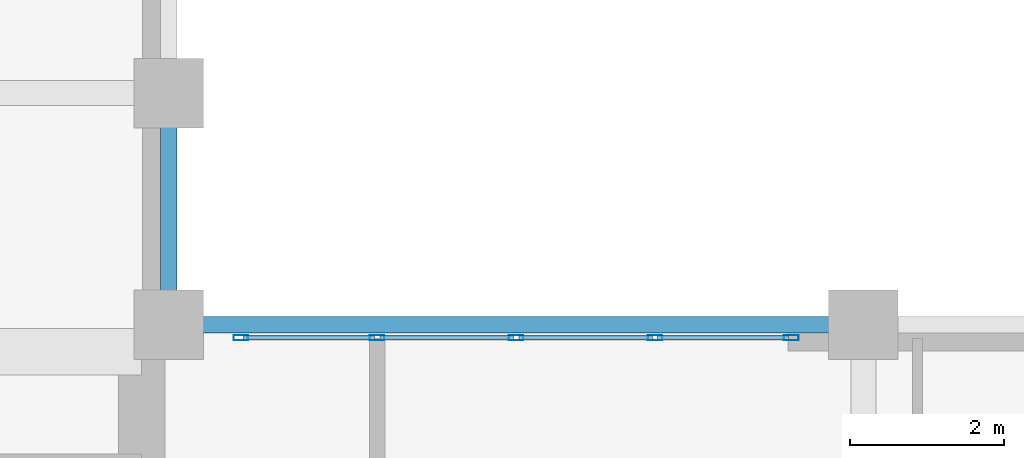
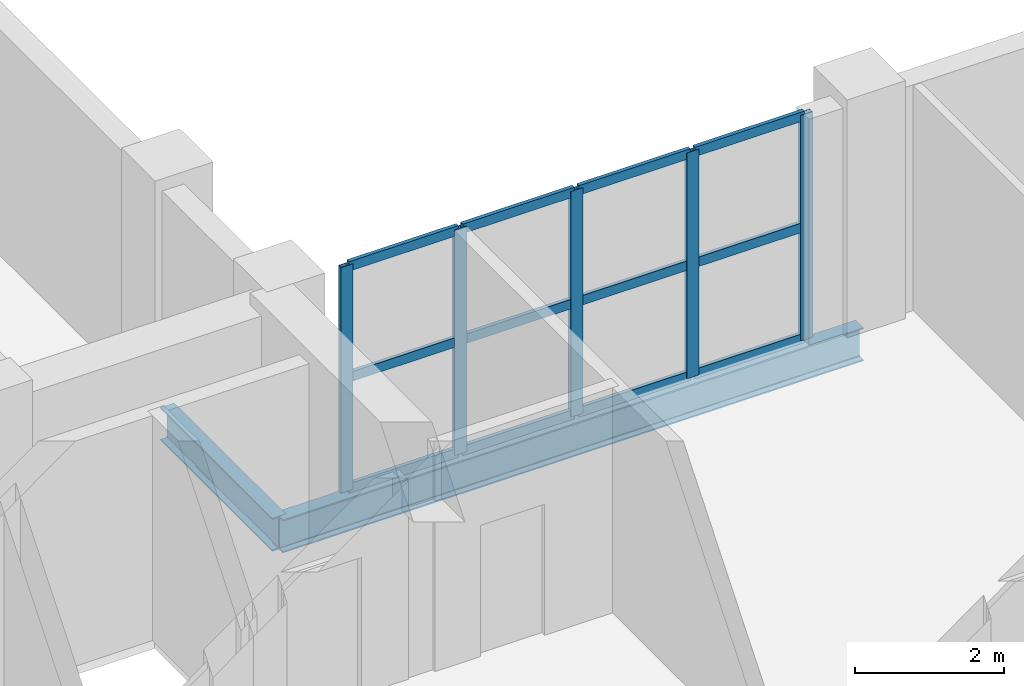
# One storey, part 2 of 7: 17 members, 2 beams, 1 element without a shape of its own.
"""IFC4 building model written with IfcOpenShell, lengths in metres."""

import ifcopenshell
import ifcopenshell.guid

model = None  # the IFC model being written
_history = None  # IfcOwnerHistory: only IFC2X3 demands one
_inside = {}  # id of a spatial element -> (the spatial element, [elements in it])
_under = {}  # id of a project, library or spatial element -> (it, [spatial elements below it])
_declared = {}  # id of a project -> (the project, [libraries it declares])
_typed = {}  # id of a type object -> (the type object, [elements of that type])
_made_of = {}  # id of a material, layer set ... -> (it, [elements and type objects made of it])


def new_model(schema):
    """Start an empty IFC model of exactly this schema.

    Asked for "IFC4X3", IfcOpenShell would pick the latest addendum, in which some entities
    have other attributes; the version numbers below select the first issue.
    IFC2X3 requires an IfcOwnerHistory on every rooted entity: one is made here for all.
    """
    global model, _history
    if schema == "IFC4X3":
        model = ifcopenshell.file(schema_version=(4, 3, 0, 0))
    else:
        model = ifcopenshell.file(schema=schema)
    _inside.clear()
    _under.clear()
    _declared.clear()
    _typed.clear()
    _made_of.clear()
    _history = None
    if model.schema == "IFC2X3":
        org = make("IfcOrganization", Name="unknown")
        user = make(
            "IfcPersonAndOrganization",
            ThePerson=make("IfcPerson", FamilyName="unknown"),
            TheOrganization=org,
        )
        app = make(
            "IfcApplication",
            ApplicationDeveloper=org,
            Version="unknown",
            ApplicationFullName="unknown",
            ApplicationIdentifier="unknown",
        )
        _history = make(
            "IfcOwnerHistory",
            OwningUser=user,
            OwningApplication=app,
            ChangeAction="ADDED",
            CreationDate=0,
        )
    return model


def make(cls, **values):
    """One entity of the class cls with the attributes given. An attribute that is None is left unset."""
    return model.create_entity(
        cls, **{name: value for name, value in values.items() if value is not None}
    )


def rooted(cls, **values):
    """An entity with a GlobalId (a new one), such as an element, a storey or a relation."""
    return make(cls, GlobalId=ifcopenshell.guid.new(), OwnerHistory=_history, **values)


def si_unit(unit_type, name, prefix=None):
    """IfcSIUnit, for example si_unit("LENGTHUNIT", "METRE", prefix="MILLI")."""
    return make("IfcSIUnit", UnitType=unit_type, Prefix=prefix, Name=name)


def assignment(units):
    """IfcUnitAssignment: the units of a project."""
    return None if units is None else make("IfcUnitAssignment", Units=units)


def point(xyz):
    """IfcCartesianPoint."""
    return None if xyz is None else make("IfcCartesianPoint", Coordinates=xyz)


def direction(xyz):
    """IfcDirection."""
    return None if xyz is None else make("IfcDirection", DirectionRatios=xyz)


def frame(location, z_axis=None, x_axis=None):
    """IfcAxis2Placement3D, a coordinate frame: its origin and axes. An axis left out is left unset."""
    return make(
        "IfcAxis2Placement3D",
        Location=point(location),
        Axis=direction(z_axis),
        RefDirection=direction(x_axis),
    )


def frame_2d(location, x_axis=None):
    """IfcAxis2Placement2D, a coordinate frame in the plane: its origin and x axis."""
    return make(
        "IfcAxis2Placement2D", Location=point(location), RefDirection=direction(x_axis)
    )


def origin():
    """The frame at (0, 0, 0) with its axes left unset."""
    return frame((0.0, 0.0, 0.0))


def origin_2d():
    """The frame at (0, 0) in the plane with its x axis left unset."""
    return frame_2d((0.0, 0.0))


def place(relative_to, where):
    """IfcLocalPlacement: puts the frame where relative to a parent placement (None: the world)."""
    return make(
        "IfcLocalPlacement", PlacementRelTo=relative_to, RelativePlacement=where
    )


def context(
    kind, dimensions, precision=None, world=None, true_north=None, identifier=None
):
    """IfcGeometricRepresentationContext, for example the 3D "Model" context."""
    return make(
        "IfcGeometricRepresentationContext",
        ContextIdentifier=identifier,
        ContextType=kind,
        CoordinateSpaceDimension=dimensions,
        Precision=precision,
        WorldCoordinateSystem=world,
        TrueNorth=true_north,
    )


def subcontext(parent, identifier, kind, view, scale=None):
    """IfcGeometricRepresentationSubContext, for example "Body" below "Model"."""
    return make(
        "IfcGeometricRepresentationSubContext",
        ContextIdentifier=identifier,
        ContextType=kind,
        ParentContext=parent,
        TargetScale=scale,
        TargetView=view,
    )


def project(units=None, contexts=None):
    """IfcProject with its units and contexts."""
    return rooted(
        "IfcProject",
        Name="project",
        RepresentationContexts=contexts,
        UnitsInContext=assignment(units),
    )


def spatial(cls, under=None, at=None, **own):
    """A site, building, storey or space (cls), placed at a placement, below another one or the project."""
    s = rooted(cls, ObjectPlacement=at, **own)
    if under is not None:
        _under.setdefault(under.id(), (under, []))[1].append(s)
    return s


def profile(cls, at=None, kind="AREA", **sizes):
    """A parametric profile (cls). Its sizes go by their IFC names, for example OverallWidth=200.0."""
    return make(cls, ProfileType=kind, Position=at, **sizes)


def hollow_rectangle(**sizes):
    """IfcRectangleHollowProfileDef."""
    return profile("IfcRectangleHollowProfileDef", **sizes)


def i_section(**sizes):
    """IfcIShapeProfileDef."""
    return profile("IfcIShapeProfileDef", **sizes)


def extrude(swept, where, along, depth):
    """IfcExtrudedAreaSolid: the profile swept, set in the frame where, extruded along a direction by depth."""
    return make(
        "IfcExtrudedAreaSolid",
        SweptArea=swept,
        Position=where,
        ExtrudedDirection=direction(along),
        Depth=depth,
    )


def shape(context_of_items, identifier, shape_type, items):
    """IfcShapeRepresentation: the items that make up one representation, for example the "Body"."""
    return make(
        "IfcShapeRepresentation",
        ContextOfItems=context_of_items,
        RepresentationIdentifier=identifier,
        RepresentationType=shape_type,
        Items=items,
    )


def material(Name=None, Category=None):
    """IfcMaterial."""
    return make("IfcMaterial", Name=Name, Category=Category)


def layer(
    of_material, thickness, ventilated=None, Name=None, Category=None, Priority=None
):
    """IfcMaterialLayer: one layer of a wall or slab, of a material (None: an air gap)."""
    return make(
        "IfcMaterialLayer",
        Material=of_material,
        LayerThickness=thickness,
        IsVentilated=ventilated,
        Name=Name,
        Category=Category,
        Priority=Priority,
    )


def layer_set(layers, Name=None):
    """IfcMaterialLayerSet."""
    return make("IfcMaterialLayerSet", MaterialLayers=layers, LayerSetName=Name)


def material_profile(
    of_material, cross_section, Name=None, Category=None, Priority=None
):
    """IfcMaterialProfile: a cross section and its material."""
    return make(
        "IfcMaterialProfile",
        Name=Name,
        Material=of_material,
        Profile=cross_section,
        Priority=Priority,
        Category=Category,
    )


def profile_set(profiles, Name=None, composite=None):
    """IfcMaterialProfileSet."""
    return make(
        "IfcMaterialProfileSet",
        Name=Name,
        MaterialProfiles=profiles,
        CompositeProfile=composite,
    )


def made_of(thing, what):
    """Note that an element or type object is made of a material, layer set ...; save() writes the relation."""
    if what is not None:
        _made_of.setdefault(what.id(), (what, []))[1].append(thing)
    return thing


def type_object(cls, material=None, **own):
    """A type object (cls), such as IfcWallType, which elements share."""
    return made_of(rooted(cls, **own), material)


def element(
    cls,
    number,
    at=None,
    inside=None,
    cuts=None,
    type_object=None,
    material=None,
    context=None,
    identifier="Body",
    shape_type=None,
    held_by="IfcProductDefinitionShape",
    body=None,
    shapes=None,
    **own,
):
    """One element of the class cls, such as IfcWall. Its Tag is "e" and its number.

    at: its placement. inside: the storey or other place that contains it. cuts: it is an
    opening in that element (IfcRelVoidsElement). A single representation is given by context,
    identifier, shape_type and body (its items); several are given by shapes. held_by: the class
    of the entity that holds the representations. save() writes the other relations.
    """
    e = rooted(cls, Tag="e%d" % number, ObjectPlacement=at, **own)
    if body is not None:
        shapes = [shape(context, identifier, shape_type, body)]
    if shapes is not None:
        e.Representation = make(held_by, Representations=shapes)
    if inside is not None:
        _inside.setdefault(inside.id(), (inside, []))[1].append(e)
    if cuts is not None:
        rooted(
            "IfcRelVoidsElement", RelatingBuildingElement=cuts, RelatedOpeningElement=e
        )
    if type_object is not None:
        _typed.setdefault(type_object.id(), (type_object, []))[1].append(e)
    return made_of(e, material)


def aggregate(whole, parts):
    """IfcRelAggregates: a whole, such as a stair, and the parts it consists of."""
    return rooted("IfcRelAggregates", RelatingObject=whole, RelatedObjects=parts)


def save(model, path):
    """Write the relations noted so far, then the file.

    IfcRelAggregates (storeys below a building ...), IfcRelContainedInSpatialStructure (elements
    in a storey), IfcRelDefinesByType, IfcRelAssociatesMaterial and IfcRelDeclares: one each for
    every whole, place, type object, material and project.
    """
    for whole, parts in _under.values():
        aggregate(whole, parts)
    for where, things in _inside.values():
        rooted(
            "IfcRelContainedInSpatialStructure",
            RelatedElements=things,
            RelatingStructure=where,
        )
    for kind, things in _typed.values():
        rooted("IfcRelDefinesByType", RelatedObjects=things, RelatingType=kind)
    for what, things in _made_of.values():
        rooted("IfcRelAssociatesMaterial", RelatedObjects=things, RelatingMaterial=what)
    for by, libraries in _declared.values():
        rooted("IfcRelDeclares", RelatingContext=by, RelatedDefinitions=libraries)
    model.write(path)


model = new_model("IFC4")

# Units and contexts
model_context = context("Model", 3, precision=1e-05, world=origin(), true_north=direction((0.0, 1.0)))
body_context = subcontext(model_context, "Body", "Model", "MODEL_VIEW")
ifc_project = project(units=[si_unit("LENGTHUNIT", "METRE"), si_unit("AREAUNIT", "SQUARE_METRE"), si_unit("VOLUMEUNIT", "CUBIC_METRE"), si_unit("PLANEANGLEUNIT", "RADIAN"), si_unit("MASSUNIT", "GRAM", prefix="KILO")], contexts=[model_context])

# Site, building, storey
site_placement = place(None, origin())
site = spatial("IfcSite", under=ifc_project, at=site_placement, CompositionType="ELEMENT")
building_placement = place(site_placement, origin())
building = spatial("IfcBuilding", under=site, at=building_placement, Name="Mawjdan Bourse Tower", CompositionType="ELEMENT")
storey_placement = place(building_placement, frame((0.0, 0.0, 172.199951171875)))
storey = spatial("IfcBuildingStorey", under=building, at=storey_placement, Name="L41", CompositionType="ELEMENT", Elevation=172.199951171875)

# Curtain wall, members
ifc_material_1 = material(Name="Thermally Broken Aluminium and Solar Glass", Category="aluminium")
ifc_layer = layer(ifc_material_1, 0.219970703125)
ifc_layer_set = layer_set([ifc_layer], Name="Thermally Broken Aluminium and Solar Glass")
curtain_wall_type = type_object("IfcCurtainWallType", Name="CW-ATR", PredefinedType="USERDEFINED", material=ifc_layer_set)
curtain_wall_placement = place(storey_placement, origin())
curtain_wall = element("IfcCurtainWall", 1, at=curtain_wall_placement, inside=storey, type_object=curtain_wall_type, Name="L41 Northeast Atrium Court Curtain Wall", ObjectType="ATRIUM GLAZED CURTAIN WALL", PredefinedType="USERDEFINED")
ifc_material_2 = material(Name="Thermally Broken Anodised Aluminium", Category="aluminium")
ifc_material_profile_1 = material_profile(ifc_material_2, hollow_rectangle(XDim=0.070068359375, YDim=0.18994140625, WallThickness=0.00439453125, at=origin_2d()), Name="ALU-MUL-190X70")
ifc_profile_set_1 = profile_set([ifc_material_profile_1], Name="Thermally Broken Anodised Aluminium")
member_type_1 = type_object("IfcMemberType", Name="MUL-ALU-MUL-190X70", PredefinedType="MULLION", material=ifc_profile_set_1)
member_1_placement = place(storey_placement, frame((32.06494140625, 20.830078125, 0.0), z_axis=(0.0, 0.0, 1.0), x_axis=(0.0, -1.0, 0.0)))
member_1 = element("IfcMember", 2, at=member_1_placement, type_object=member_type_1, Name="CW-ATR-L41-ATR-NE mullion 1", PredefinedType="MULLION", context=body_context, shape_type="SweptSolid", body=[
    extrude(hollow_rectangle(XDim=0.070068359375, YDim=0.18994140625, WallThickness=0.00439453125, at=origin_2d()), origin(), (0.0, 0.0, 1.0), 3.699951171875),
])
member_2_placement = place(storey_placement, frame((30.300048828125, 20.830078125, 0.0), z_axis=(0.0, 0.0, 1.0), x_axis=(0.0, -1.0, 0.0)))
member_2 = element("IfcMember", 3, at=member_2_placement, type_object=member_type_1, Name="CW-ATR-L41-ATR-NE mullion 2", PredefinedType="MULLION", context=body_context, shape_type="SweptSolid", body=[
    extrude(hollow_rectangle(XDim=0.070068359375, YDim=0.18994140625, WallThickness=0.00439453125, at=origin_2d()), origin(), (0.0, 0.0, 1.0), 3.699951171875),
])
member_3_placement = place(storey_placement, frame((28.5, 20.830078125, 0.0), z_axis=(0.0, 0.0, 1.0), x_axis=(0.0, -1.0, 0.0)))
member_3 = element("IfcMember", 4, at=member_3_placement, type_object=member_type_1, Name="CW-ATR-L41-ATR-NE mullion 3", PredefinedType="MULLION", context=body_context, shape_type="SweptSolid", body=[
    extrude(hollow_rectangle(XDim=0.070068359375, YDim=0.18994140625, WallThickness=0.00439453125, at=origin_2d()), origin(), (0.0, 0.0, 1.0), 3.699951171875),
])
member_4_placement = place(storey_placement, frame((26.699951171875, 20.830078125, 0.0), z_axis=(0.0, 0.0, 1.0), x_axis=(0.0, -1.0, 0.0)))
member_4 = element("IfcMember", 5, at=member_4_placement, type_object=member_type_1, Name="CW-ATR-L41-ATR-NE mullion 4", PredefinedType="MULLION", context=body_context, shape_type="SweptSolid", body=[
    extrude(hollow_rectangle(XDim=0.070068359375, YDim=0.18994140625, WallThickness=0.00439453125, at=origin_2d()), origin(), (0.0, 0.0, 1.0), 3.699951171875),
])
member_5_placement = place(storey_placement, frame((24.93505859375, 20.830078125, 0.0), z_axis=(0.0, 0.0, 1.0), x_axis=(0.0, -1.0, 0.0)))
member_5 = element("IfcMember", 6, at=member_5_placement, type_object=member_type_1, Name="CW-ATR-L41-ATR-NE mullion 5", PredefinedType="MULLION", context=body_context, shape_type="SweptSolid", body=[
    extrude(hollow_rectangle(XDim=0.070068359375, YDim=0.18994140625, WallThickness=0.00439453125, at=origin_2d()), origin(), (0.0, 0.0, 1.0), 3.699951171875),
])

# Beams
ifc_material_3 = material(Name="Structural Steel S355", Category="steel")
ifc_material_profile_2 = material_profile(ifc_material_3, i_section(OverallWidth=0.2119140625, OverallDepth=0.5439453125, WebThickness=0.01318359375, FlangeThickness=0.021240234375, FilletRadius=0.01708984375, at=origin_2d()), Name="W21X83")
ifc_profile_set_2 = profile_set([ifc_material_profile_2], Name="Structural Steel S355")
beam_type = type_object("IfcBeamType", Name="SPN-W21X83", PredefinedType="SPANDREL", material=ifc_profile_set_2)
beam_1_placement = place(storey_placement, frame((24.0, 21.0, -0.471923828125), z_axis=(1.0, 0.0, 0.0), x_axis=(0.0, 1.0, 0.0)))
element("IfcBeam", 7, at=beam_1_placement, inside=storey, type_object=beam_type, Name="L41 Perimeter Masonry-Shelf Spandrel 012", PredefinedType="SPANDREL", context=body_context, shape_type="SweptSolid", body=[
    extrude(i_section(OverallWidth=0.2119140625, OverallDepth=0.5439453125, WebThickness=0.01318359375, FlangeThickness=0.021240234375, FilletRadius=0.01708984375, at=origin_2d()), origin(), (0.0, 0.0, 1.0), 9.0),
])
beam_2_placement = place(storey_placement, frame((24.0, 21.0, -0.471923828125), z_axis=(0.0, 1.0, 0.0), x_axis=(-1.0, 0.0, 0.0)))
element("IfcBeam", 8, at=beam_2_placement, inside=storey, type_object=beam_type, Name="L41 North Wing Spandrel 057", PredefinedType="SPANDREL", context=body_context, shape_type="SweptSolid", body=[
    extrude(i_section(OverallWidth=0.2119140625, OverallDepth=0.5439453125, WebThickness=0.01318359375, FlangeThickness=0.021240234375, FilletRadius=0.01708984375, at=origin_2d()), origin(), (0.0, 0.0, 1.0), 3.0),
])

# Member
ifc_material_profile_3 = material_profile(ifc_material_2, hollow_rectangle(XDim=0.06005859375, YDim=0.155029296875, WallThickness=0.00390625, at=origin_2d()), Name="ALU-TRN-155X60")
ifc_profile_set_3 = profile_set([ifc_material_profile_3], Name="Thermally Broken Anodised Aluminium")
member_type_2 = type_object("IfcMemberType", Name="TRN-ALU-TRN-155X60", PredefinedType="USERDEFINED", material=ifc_profile_set_3)
member_6_placement = place(storey_placement, frame((32.030029296875, 20.830078125, 0.030029296875), z_axis=(-1.0, 0.0, 0.0), x_axis=(0.0, -1.0, 0.0)))
member_6 = element("IfcMember", 9, at=member_6_placement, type_object=member_type_2, Name="CW-ATR-L41-ATR-NE transom 1.1", ObjectType="TRANSOM", PredefinedType="USERDEFINED", context=body_context, shape_type="SweptSolid", body=[
    extrude(hollow_rectangle(XDim=0.06005859375, YDim=0.155029296875, WallThickness=0.00390625, at=origin_2d()), origin(), (0.0, 0.0, 1.0), 1.695068359375),
])

member_7_placement = place(storey_placement, frame((32.030029296875, 20.830078125, 1.85009765625), z_axis=(-1.0, 0.0, 0.0), x_axis=(0.0, -1.0, 0.0)))
member_7 = element("IfcMember", 10, at=member_7_placement, type_object=member_type_2, Name="CW-ATR-L41-ATR-NE transom 1.2", ObjectType="TRANSOM", PredefinedType="USERDEFINED", context=body_context, shape_type="SweptSolid", body=[
    extrude(hollow_rectangle(XDim=0.06005859375, YDim=0.155029296875, WallThickness=0.00390625, at=origin_2d()), origin(), (0.0, 0.0, 1.0), 1.695068359375),
])

member_8_placement = place(storey_placement, frame((32.030029296875, 20.830078125, 3.670166015625), z_axis=(-1.0, 0.0, 0.0), x_axis=(0.0, -1.0, 0.0)))
member_8 = element("IfcMember", 11, at=member_8_placement, type_object=member_type_2, Name="CW-ATR-L41-ATR-NE transom 1.3", ObjectType="TRANSOM", PredefinedType="USERDEFINED", context=body_context, shape_type="SweptSolid", body=[
    extrude(hollow_rectangle(XDim=0.06005859375, YDim=0.155029296875, WallThickness=0.00390625, at=origin_2d()), origin(), (0.0, 0.0, 1.0), 1.695068359375),
])

member_9_placement = place(storey_placement, frame((30.264892578125, 20.830078125, 0.030029296875), z_axis=(-1.0, 0.0, 0.0), x_axis=(0.0, -1.0, 0.0)))
member_9 = element("IfcMember", 12, at=member_9_placement, type_object=member_type_2, Name="CW-ATR-L41-ATR-NE transom 2.1", ObjectType="TRANSOM", PredefinedType="USERDEFINED", context=body_context, shape_type="SweptSolid", body=[
    extrude(hollow_rectangle(XDim=0.06005859375, YDim=0.155029296875, WallThickness=0.00390625, at=origin_2d()), origin(), (0.0, 0.0, 1.0), 1.72998046875),
])

member_10_placement = place(storey_placement, frame((30.264892578125, 20.830078125, 1.85009765625), z_axis=(-1.0, 0.0, 0.0), x_axis=(0.0, -1.0, 0.0)))
member_10 = element("IfcMember", 13, at=member_10_placement, type_object=member_type_2, Name="CW-ATR-L41-ATR-NE transom 2.2", ObjectType="TRANSOM", PredefinedType="USERDEFINED", context=body_context, shape_type="SweptSolid", body=[
    extrude(hollow_rectangle(XDim=0.06005859375, YDim=0.155029296875, WallThickness=0.00390625, at=origin_2d()), origin(), (0.0, 0.0, 1.0), 1.72998046875),
])

member_11_placement = place(storey_placement, frame((30.264892578125, 20.830078125, 3.670166015625), z_axis=(-1.0, 0.0, 0.0), x_axis=(0.0, -1.0, 0.0)))
member_11 = element("IfcMember", 14, at=member_11_placement, type_object=member_type_2, Name="CW-ATR-L41-ATR-NE transom 2.3", ObjectType="TRANSOM", PredefinedType="USERDEFINED", context=body_context, shape_type="SweptSolid", body=[
    extrude(hollow_rectangle(XDim=0.06005859375, YDim=0.155029296875, WallThickness=0.00390625, at=origin_2d()), origin(), (0.0, 0.0, 1.0), 1.72998046875),
])

member_12_placement = place(storey_placement, frame((28.465087890625, 20.830078125, 0.030029296875), z_axis=(-1.0, 0.0, 0.0), x_axis=(0.0, -1.0, 0.0)))
member_12 = element("IfcMember", 15, at=member_12_placement, type_object=member_type_2, Name="CW-ATR-L41-ATR-NE transom 3.1", ObjectType="TRANSOM", PredefinedType="USERDEFINED", context=body_context, shape_type="SweptSolid", body=[
    extrude(hollow_rectangle(XDim=0.06005859375, YDim=0.155029296875, WallThickness=0.00390625, at=origin_2d()), origin(), (0.0, 0.0, 1.0), 1.72998046875),
])

member_13_placement = place(storey_placement, frame((28.465087890625, 20.830078125, 1.85009765625), z_axis=(-1.0, 0.0, 0.0), x_axis=(0.0, -1.0, 0.0)))
member_13 = element("IfcMember", 16, at=member_13_placement, type_object=member_type_2, Name="CW-ATR-L41-ATR-NE transom 3.2", ObjectType="TRANSOM", PredefinedType="USERDEFINED", context=body_context, shape_type="SweptSolid", body=[
    extrude(hollow_rectangle(XDim=0.06005859375, YDim=0.155029296875, WallThickness=0.00390625, at=origin_2d()), origin(), (0.0, 0.0, 1.0), 1.72998046875),
])

member_14_placement = place(storey_placement, frame((28.465087890625, 20.830078125, 3.670166015625), z_axis=(-1.0, 0.0, 0.0), x_axis=(0.0, -1.0, 0.0)))
member_14 = element("IfcMember", 17, at=member_14_placement, type_object=member_type_2, Name="CW-ATR-L41-ATR-NE transom 3.3", ObjectType="TRANSOM", PredefinedType="USERDEFINED", context=body_context, shape_type="SweptSolid", body=[
    extrude(hollow_rectangle(XDim=0.06005859375, YDim=0.155029296875, WallThickness=0.00390625, at=origin_2d()), origin(), (0.0, 0.0, 1.0), 1.72998046875),
])

member_15_placement = place(storey_placement, frame((26.6650390625, 20.830078125, 0.030029296875), z_axis=(-1.0, 0.0, 0.0), x_axis=(0.0, -1.0, 0.0)))
member_15 = element("IfcMember", 18, at=member_15_placement, type_object=member_type_2, Name="CW-ATR-L41-ATR-NE transom 4.1", ObjectType="TRANSOM", PredefinedType="USERDEFINED", context=body_context, shape_type="SweptSolid", body=[
    extrude(hollow_rectangle(XDim=0.06005859375, YDim=0.155029296875, WallThickness=0.00390625, at=origin_2d()), origin(), (0.0, 0.0, 1.0), 1.695068359375),
])

member_16_placement = place(storey_placement, frame((26.6650390625, 20.830078125, 1.85009765625), z_axis=(-1.0, 0.0, 0.0), x_axis=(0.0, -1.0, 0.0)))
member_16 = element("IfcMember", 19, at=member_16_placement, type_object=member_type_2, Name="CW-ATR-L41-ATR-NE transom 4.2", ObjectType="TRANSOM", PredefinedType="USERDEFINED", context=body_context, shape_type="SweptSolid", body=[
    extrude(hollow_rectangle(XDim=0.06005859375, YDim=0.155029296875, WallThickness=0.00390625, at=origin_2d()), origin(), (0.0, 0.0, 1.0), 1.695068359375),
])

member_17_placement = place(storey_placement, frame((26.6650390625, 20.830078125, 3.670166015625), z_axis=(-1.0, 0.0, 0.0), x_axis=(0.0, -1.0, 0.0)))
member_17 = element("IfcMember", 20, at=member_17_placement, type_object=member_type_2, Name="CW-ATR-L41-ATR-NE transom 4.3", ObjectType="TRANSOM", PredefinedType="USERDEFINED", context=body_context, shape_type="SweptSolid", body=[
    extrude(hollow_rectangle(XDim=0.06005859375, YDim=0.155029296875, WallThickness=0.00390625, at=origin_2d()), origin(), (0.0, 0.0, 1.0), 1.695068359375),
])

aggregate(curtain_wall, [member_1, member_2, member_3, member_4, member_5, member_6, member_7, member_8, member_9, member_10, member_11, member_12, member_13, member_14, member_15, member_16, member_17])

save(model, "model.ifc")
